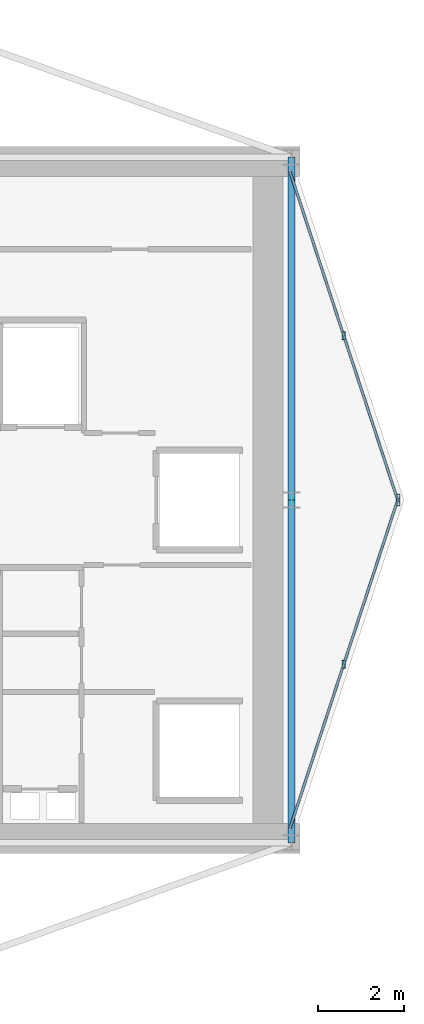
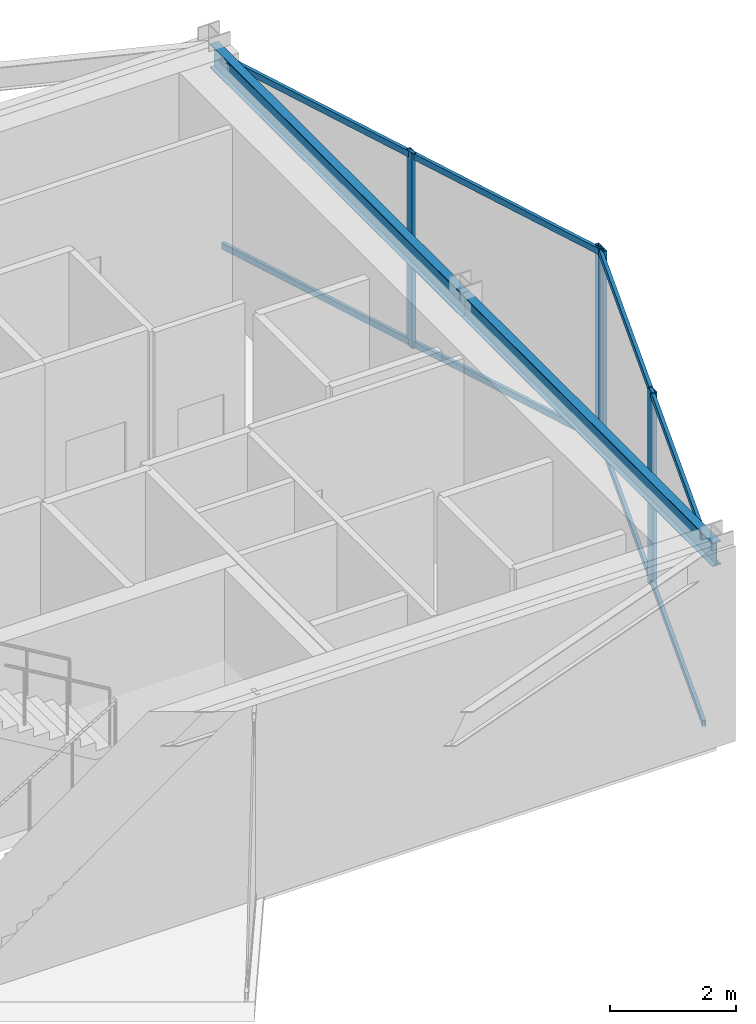
# One storey, part 15 of 23: 8 members, 2 beams, 2 elements without a shape of their own.
"""IFC4 building model written with IfcOpenShell, lengths in metres."""

import ifcopenshell
import ifcopenshell.guid

model = None  # the IFC model being written
_history = None  # IfcOwnerHistory: only IFC2X3 demands one
_inside = {}  # id of a spatial element -> (the spatial element, [elements in it])
_under = {}  # id of a project, library or spatial element -> (it, [spatial elements below it])
_declared = {}  # id of a project -> (the project, [libraries it declares])
_typed = {}  # id of a type object -> (the type object, [elements of that type])
_made_of = {}  # id of a material, layer set ... -> (it, [elements and type objects made of it])


def new_model(schema):
    """Start an empty IFC model of exactly this schema.

    Asked for "IFC4X3", IfcOpenShell would pick the latest addendum, in which some entities
    have other attributes; the version numbers below select the first issue.
    IFC2X3 requires an IfcOwnerHistory on every rooted entity: one is made here for all.
    """
    global model, _history
    if schema == "IFC4X3":
        model = ifcopenshell.file(schema_version=(4, 3, 0, 0))
    else:
        model = ifcopenshell.file(schema=schema)
    _inside.clear()
    _under.clear()
    _declared.clear()
    _typed.clear()
    _made_of.clear()
    _history = None
    if model.schema == "IFC2X3":
        org = make("IfcOrganization", Name="unknown")
        user = make(
            "IfcPersonAndOrganization",
            ThePerson=make("IfcPerson", FamilyName="unknown"),
            TheOrganization=org,
        )
        app = make(
            "IfcApplication",
            ApplicationDeveloper=org,
            Version="unknown",
            ApplicationFullName="unknown",
            ApplicationIdentifier="unknown",
        )
        _history = make(
            "IfcOwnerHistory",
            OwningUser=user,
            OwningApplication=app,
            ChangeAction="ADDED",
            CreationDate=0,
        )
    return model


def make(cls, **values):
    """One entity of the class cls with the attributes given. An attribute that is None is left unset."""
    return model.create_entity(
        cls, **{name: value for name, value in values.items() if value is not None}
    )


def rooted(cls, **values):
    """An entity with a GlobalId (a new one), such as an element, a storey or a relation."""
    return make(cls, GlobalId=ifcopenshell.guid.new(), OwnerHistory=_history, **values)


def si_unit(unit_type, name, prefix=None):
    """IfcSIUnit, for example si_unit("LENGTHUNIT", "METRE", prefix="MILLI")."""
    return make("IfcSIUnit", UnitType=unit_type, Prefix=prefix, Name=name)


def assignment(units):
    """IfcUnitAssignment: the units of a project."""
    return None if units is None else make("IfcUnitAssignment", Units=units)


def point(xyz):
    """IfcCartesianPoint."""
    return None if xyz is None else make("IfcCartesianPoint", Coordinates=xyz)


def direction(xyz):
    """IfcDirection."""
    return None if xyz is None else make("IfcDirection", DirectionRatios=xyz)


def frame(location, z_axis=None, x_axis=None):
    """IfcAxis2Placement3D, a coordinate frame: its origin and axes. An axis left out is left unset."""
    return make(
        "IfcAxis2Placement3D",
        Location=point(location),
        Axis=direction(z_axis),
        RefDirection=direction(x_axis),
    )


def frame_2d(location, x_axis=None):
    """IfcAxis2Placement2D, a coordinate frame in the plane: its origin and x axis."""
    return make(
        "IfcAxis2Placement2D", Location=point(location), RefDirection=direction(x_axis)
    )


def origin():
    """The frame at (0, 0, 0) with its axes left unset."""
    return frame((0.0, 0.0, 0.0))


def origin_2d():
    """The frame at (0, 0) in the plane with its x axis left unset."""
    return frame_2d((0.0, 0.0))


def place(relative_to, where):
    """IfcLocalPlacement: puts the frame where relative to a parent placement (None: the world)."""
    return make(
        "IfcLocalPlacement", PlacementRelTo=relative_to, RelativePlacement=where
    )


def context(
    kind, dimensions, precision=None, world=None, true_north=None, identifier=None
):
    """IfcGeometricRepresentationContext, for example the 3D "Model" context."""
    return make(
        "IfcGeometricRepresentationContext",
        ContextIdentifier=identifier,
        ContextType=kind,
        CoordinateSpaceDimension=dimensions,
        Precision=precision,
        WorldCoordinateSystem=world,
        TrueNorth=true_north,
    )


def subcontext(parent, identifier, kind, view, scale=None):
    """IfcGeometricRepresentationSubContext, for example "Body" below "Model"."""
    return make(
        "IfcGeometricRepresentationSubContext",
        ContextIdentifier=identifier,
        ContextType=kind,
        ParentContext=parent,
        TargetScale=scale,
        TargetView=view,
    )


def project(units=None, contexts=None):
    """IfcProject with its units and contexts."""
    return rooted(
        "IfcProject",
        Name="project",
        RepresentationContexts=contexts,
        UnitsInContext=assignment(units),
    )


def spatial(cls, under=None, at=None, **own):
    """A site, building, storey or space (cls), placed at a placement, below another one or the project."""
    s = rooted(cls, ObjectPlacement=at, **own)
    if under is not None:
        _under.setdefault(under.id(), (under, []))[1].append(s)
    return s


def profile(cls, at=None, kind="AREA", **sizes):
    """A parametric profile (cls). Its sizes go by their IFC names, for example OverallWidth=200.0."""
    return make(cls, ProfileType=kind, Position=at, **sizes)


def hollow_rectangle(**sizes):
    """IfcRectangleHollowProfileDef."""
    return profile("IfcRectangleHollowProfileDef", **sizes)


def i_section(**sizes):
    """IfcIShapeProfileDef."""
    return profile("IfcIShapeProfileDef", **sizes)


def extrude(swept, where, along, depth):
    """IfcExtrudedAreaSolid: the profile swept, set in the frame where, extruded along a direction by depth."""
    return make(
        "IfcExtrudedAreaSolid",
        SweptArea=swept,
        Position=where,
        ExtrudedDirection=direction(along),
        Depth=depth,
    )


def shape(context_of_items, identifier, shape_type, items):
    """IfcShapeRepresentation: the items that make up one representation, for example the "Body"."""
    return make(
        "IfcShapeRepresentation",
        ContextOfItems=context_of_items,
        RepresentationIdentifier=identifier,
        RepresentationType=shape_type,
        Items=items,
    )


def material(Name=None, Category=None):
    """IfcMaterial."""
    return make("IfcMaterial", Name=Name, Category=Category)


def layer(
    of_material, thickness, ventilated=None, Name=None, Category=None, Priority=None
):
    """IfcMaterialLayer: one layer of a wall or slab, of a material (None: an air gap)."""
    return make(
        "IfcMaterialLayer",
        Material=of_material,
        LayerThickness=thickness,
        IsVentilated=ventilated,
        Name=Name,
        Category=Category,
        Priority=Priority,
    )


def layer_set(layers, Name=None):
    """IfcMaterialLayerSet."""
    return make("IfcMaterialLayerSet", MaterialLayers=layers, LayerSetName=Name)


def material_profile(
    of_material, cross_section, Name=None, Category=None, Priority=None
):
    """IfcMaterialProfile: a cross section and its material."""
    return make(
        "IfcMaterialProfile",
        Name=Name,
        Material=of_material,
        Profile=cross_section,
        Priority=Priority,
        Category=Category,
    )


def profile_set(profiles, Name=None, composite=None):
    """IfcMaterialProfileSet."""
    return make(
        "IfcMaterialProfileSet",
        Name=Name,
        MaterialProfiles=profiles,
        CompositeProfile=composite,
    )


def made_of(thing, what):
    """Note that an element or type object is made of a material, layer set ...; save() writes the relation."""
    if what is not None:
        _made_of.setdefault(what.id(), (what, []))[1].append(thing)
    return thing


def type_object(cls, material=None, **own):
    """A type object (cls), such as IfcWallType, which elements share."""
    return made_of(rooted(cls, **own), material)


def element(
    cls,
    number,
    at=None,
    inside=None,
    cuts=None,
    type_object=None,
    material=None,
    context=None,
    identifier="Body",
    shape_type=None,
    held_by="IfcProductDefinitionShape",
    body=None,
    shapes=None,
    **own,
):
    """One element of the class cls, such as IfcWall. Its Tag is "e" and its number.

    at: its placement. inside: the storey or other place that contains it. cuts: it is an
    opening in that element (IfcRelVoidsElement). A single representation is given by context,
    identifier, shape_type and body (its items); several are given by shapes. held_by: the class
    of the entity that holds the representations. save() writes the other relations.
    """
    e = rooted(cls, Tag="e%d" % number, ObjectPlacement=at, **own)
    if body is not None:
        shapes = [shape(context, identifier, shape_type, body)]
    if shapes is not None:
        e.Representation = make(held_by, Representations=shapes)
    if inside is not None:
        _inside.setdefault(inside.id(), (inside, []))[1].append(e)
    if cuts is not None:
        rooted(
            "IfcRelVoidsElement", RelatingBuildingElement=cuts, RelatedOpeningElement=e
        )
    if type_object is not None:
        _typed.setdefault(type_object.id(), (type_object, []))[1].append(e)
    return made_of(e, material)


def aggregate(whole, parts):
    """IfcRelAggregates: a whole, such as a stair, and the parts it consists of."""
    return rooted("IfcRelAggregates", RelatingObject=whole, RelatedObjects=parts)


def save(model, path):
    """Write the relations noted so far, then the file.

    IfcRelAggregates (storeys below a building ...), IfcRelContainedInSpatialStructure (elements
    in a storey), IfcRelDefinesByType, IfcRelAssociatesMaterial and IfcRelDeclares: one each for
    every whole, place, type object, material and project.
    """
    for whole, parts in _under.values():
        aggregate(whole, parts)
    for where, things in _inside.values():
        rooted(
            "IfcRelContainedInSpatialStructure",
            RelatedElements=things,
            RelatingStructure=where,
        )
    for kind, things in _typed.values():
        rooted("IfcRelDefinesByType", RelatedObjects=things, RelatingType=kind)
    for what, things in _made_of.values():
        rooted("IfcRelAssociatesMaterial", RelatedObjects=things, RelatingMaterial=what)
    for by, libraries in _declared.values():
        rooted("IfcRelDeclares", RelatingContext=by, RelatedDefinitions=libraries)
    model.write(path)


model = new_model("IFC4")

# Units and contexts
model_context = context("Model", 3, precision=1e-05, world=origin(), true_north=direction((0.0, 1.0)))
body_context = subcontext(model_context, "Body", "Model", "MODEL_VIEW")
ifc_project = project(units=[si_unit("LENGTHUNIT", "METRE"), si_unit("AREAUNIT", "SQUARE_METRE"), si_unit("VOLUMEUNIT", "CUBIC_METRE"), si_unit("PLANEANGLEUNIT", "RADIAN"), si_unit("MASSUNIT", "GRAM", prefix="KILO")], contexts=[model_context])

# Site, building, storey
site_placement = place(None, origin())
site = spatial("IfcSite", under=ifc_project, at=site_placement, CompositionType="ELEMENT")
building_placement = place(site_placement, origin())
building = spatial("IfcBuilding", under=site, at=building_placement, Name="Veymaron Broadcast Tower", CompositionType="ELEMENT")
storey_placement = place(building_placement, frame((0.0, 0.0, 195.89990234375)))
storey = spatial("IfcBuildingStorey", under=building, at=storey_placement, Name="L45", CompositionType="ELEMENT", Elevation=195.89990234375)

# Beams
ifc_material_1 = material(Name="Structural steel ASTM A992 Gr 50", Category="steel")
ifc_material_profile_1 = material_profile(ifc_material_1, i_section(OverallWidth=0.154052734375, OverallDepth=0.458984375, WebThickness=0.009033203125, FlangeThickness=0.015380859375, at=origin_2d()), Name="W460X68")
ifc_profile_set_1 = profile_set([ifc_material_profile_1], Name="Structural steel ASTM A992 Gr 50")
beam_type = type_object("IfcBeamType", Name="BM-SP2", PredefinedType="SPANDREL", material=ifc_profile_set_1)
for number, where, z_axis, x_axis, name in (
    (1, (54.60009765625, 16.0, 3.560546875), (0.0, 1.0, 0.0), (-1.0, 0.0, 0.0), "L45 primary structural floor girder"),
    (2, (54.60009765625, 24.0, 3.560546875), (0.0, 1.0, 0.0), (-1.0, 0.0, 0.0), "L45 primary structural floor girder"),
):
    element("IfcBeam", number, at=place(storey_placement, frame(where, z_axis=z_axis, x_axis=x_axis)), inside=storey, type_object=beam_type, Name=name, PredefinedType="SPANDREL", context=body_context, shape_type="SweptSolid", body=[
        extrude(i_section(OverallWidth=0.154052734375, OverallDepth=0.458984375, WebThickness=0.009033203125, FlangeThickness=0.015380859375, at=origin_2d()), origin(), (0.0, 0.0, 1.0), 8.0),
    ])

# Curtain wall, members
ifc_material_2 = material(Name="Anodised aluminium AA 6063-T6 and laminated low-E dark glass", Category="aluminium")
ifc_layer = layer(ifc_material_2, 0.179931640625)
ifc_layer_set = layer_set([ifc_layer], Name="Anodised aluminium AA 6063-T6 and laminated low-E dark glass")
curtain_wall_type = type_object("IfcCurtainWallType", Name="CW-SYS-05", PredefinedType="NOTDEFINED", material=ifc_layer_set)
curtain_wall_1_placement = place(storey_placement, origin())
curtain_wall_1 = element("IfcCurtainWall", 3, at=curtain_wall_1_placement, inside=storey, type_object=curtain_wall_type, Name="L45 dark-glass curtain wall CW-L45-E2-1", PredefinedType="NOTDEFINED")
ifc_material_3 = material(Name="Anodised aluminium AA 6063-T6", Category="aluminium")
ifc_material_profile_2 = material_profile(ifc_material_3, hollow_rectangle(XDim=0.074951171875, YDim=0.179931640625, WallThickness=0.0048828125, at=origin_2d()), Name="AL180X75X5")
ifc_profile_set_2 = profile_set([ifc_material_profile_2], Name="Anodised aluminium AA 6063-T6")
member_type_1 = type_object("IfcMemberType", Name="CW-MUL-02", PredefinedType="MULLION", material=ifc_profile_set_2)
member_1_placement = place(storey_placement, frame((55.819580078125, 20.166015625, 0.0), z_axis=(0.0, 0.0, 1.0), x_axis=(1.0, 0.0, 0.0)))
member_1 = element("IfcMember", 4, at=member_1_placement, type_object=member_type_1, Name="CW-L45-E2-1 mullion 1", PredefinedType="MULLION", context=body_context, shape_type="SweptSolid", body=[
    extrude(hollow_rectangle(XDim=0.074951171875, YDim=0.179931640625, WallThickness=0.0048828125, at=origin_2d()), origin(), (0.0, 0.0, 1.0), 3.7900390625),
])
member_2_placement = place(storey_placement, frame((57.092041015625, 24.043701171875, 0.0), z_axis=(0.0, 0.0, 1.0), x_axis=(1.0, 0.0, 0.0)))
member_2 = element("IfcMember", 5, at=member_2_placement, type_object=member_type_1, Name="CW-L45-E2-1 mullion 2", PredefinedType="MULLION", context=body_context, shape_type="SweptSolid", body=[
    extrude(hollow_rectangle(XDim=0.074951171875, YDim=0.179931640625, WallThickness=0.0048828125, at=origin_2d()), origin(), (0.0, 0.0, 1.0), 3.7900390625),
])

curtain_wall_2_placement = place(storey_placement, origin())
curtain_wall_2 = element("IfcCurtainWall", 6, at=curtain_wall_2_placement, inside=storey, type_object=curtain_wall_type, Name="L45 dark-glass curtain wall CW-L45-E3-1", PredefinedType="NOTDEFINED")
member_3_placement = place(storey_placement, frame((57.092041015625, 23.956298828125, 0.0), z_axis=(0.0, 0.0, 1.0), x_axis=(1.0, 0.0, 0.0)))
member_3 = element("IfcMember", 7, at=member_3_placement, type_object=member_type_1, Name="CW-L45-E3-1 mullion 0", PredefinedType="MULLION", context=body_context, shape_type="SweptSolid", body=[
    extrude(hollow_rectangle(XDim=0.074951171875, YDim=0.179931640625, WallThickness=0.0048828125, at=origin_2d()), origin(), (0.0, 0.0, 1.0), 3.7900390625),
])
member_4_placement = place(storey_placement, frame((55.819580078125, 27.833984375, 0.0), z_axis=(0.0, 0.0, 1.0), x_axis=(1.0, 0.0, 0.0)))
member_4 = element("IfcMember", 8, at=member_4_placement, type_object=member_type_1, Name="CW-L45-E3-1 mullion 1", PredefinedType="MULLION", context=body_context, shape_type="SweptSolid", body=[
    extrude(hollow_rectangle(XDim=0.074951171875, YDim=0.179931640625, WallThickness=0.0048828125, at=origin_2d()), origin(), (0.0, 0.0, 1.0), 3.7900390625),
])

# Member
ifc_material_profile_3 = material_profile(ifc_material_3, hollow_rectangle(XDim=0.06005859375, YDim=0.1201171875, WallThickness=0.00390625, at=origin_2d()), Name="AL120X60X4")
ifc_profile_set_3 = profile_set([ifc_material_profile_3], Name="Anodised aluminium AA 6063-T6")
member_type_2 = type_object("IfcMemberType", Name="CW-TRN-02", PredefinedType="USERDEFINED", material=ifc_profile_set_3)
member_5_placement = place(storey_placement, frame((54.56298828125, 16.3359375, 0.070068359375), z_axis=(0.31176358302, 0.950159706735, 0.0), x_axis=(-0.950159706735, 0.31176358302, 0.0)))
member_5 = element("IfcMember", 9, at=member_5_placement, type_object=member_type_2, Name="CW-L45-E2-1 transom B", ObjectType="TRANSOM", PredefinedType="USERDEFINED", context=body_context, shape_type="SweptSolid", body=[
    extrude(hollow_rectangle(XDim=0.06005859375, YDim=0.1201171875, WallThickness=0.00390625, at=origin_2d()), origin(), (0.0, 0.0, 1.0), 8.06201171875),
])

member_6_placement = place(storey_placement, frame((54.56298828125, 16.3359375, 3.72021484375), z_axis=(0.31176358302, 0.950159706735, 0.0), x_axis=(-0.950159706735, 0.31176358302, 0.0)))
member_6 = element("IfcMember", 10, at=member_6_placement, type_object=member_type_2, Name="CW-L45-E2-1 transom T", ObjectType="TRANSOM", PredefinedType="USERDEFINED", context=body_context, shape_type="SweptSolid", body=[
    extrude(hollow_rectangle(XDim=0.06005859375, YDim=0.1201171875, WallThickness=0.00390625, at=origin_2d()), origin(), (0.0, 0.0, 1.0), 8.06201171875),
])

aggregate(curtain_wall_1, [member_1, member_2, member_5, member_6])

member_7_placement = place(storey_placement, frame((57.076416015625, 24.00390625, 0.070068359375), z_axis=(-0.31176358302, 0.950159706735, 0.0), x_axis=(-0.950159706735, -0.31176358302, 0.0)))
member_7 = element("IfcMember", 11, at=member_7_placement, type_object=member_type_2, Name="CW-L45-E3-1 transom B", ObjectType="TRANSOM", PredefinedType="USERDEFINED", context=body_context, shape_type="SweptSolid", body=[
    extrude(hollow_rectangle(XDim=0.06005859375, YDim=0.1201171875, WallThickness=0.00390625, at=origin_2d()), origin(), (0.0, 0.0, 1.0), 8.06201171875),
])

member_8_placement = place(storey_placement, frame((57.076416015625, 24.00390625, 3.72021484375), z_axis=(-0.31176358302, 0.950159706735, 0.0), x_axis=(-0.950159706735, -0.31176358302, 0.0)))
member_8 = element("IfcMember", 12, at=member_8_placement, type_object=member_type_2, Name="CW-L45-E3-1 transom T", ObjectType="TRANSOM", PredefinedType="USERDEFINED", context=body_context, shape_type="SweptSolid", body=[
    extrude(hollow_rectangle(XDim=0.06005859375, YDim=0.1201171875, WallThickness=0.00390625, at=origin_2d()), origin(), (0.0, 0.0, 1.0), 8.06201171875),
])

aggregate(curtain_wall_2, [member_3, member_4, member_7, member_8])

save(model, "model.ifc")
